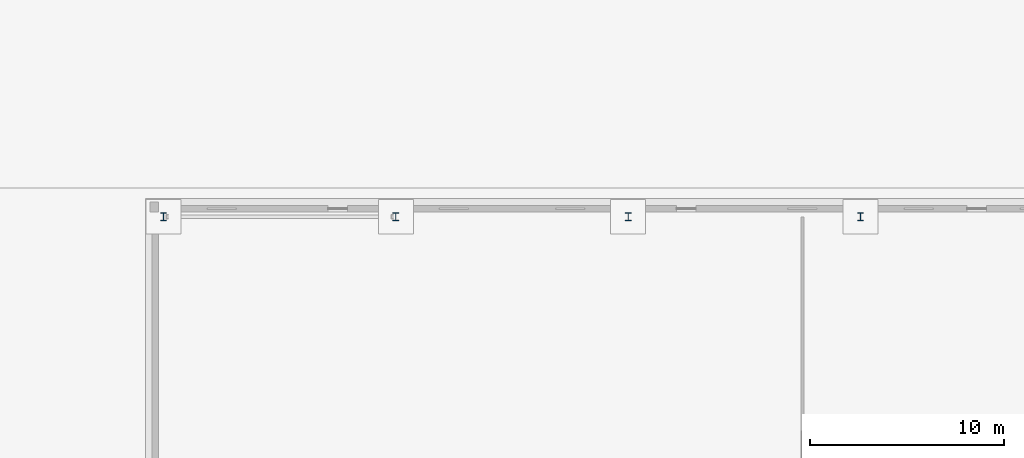
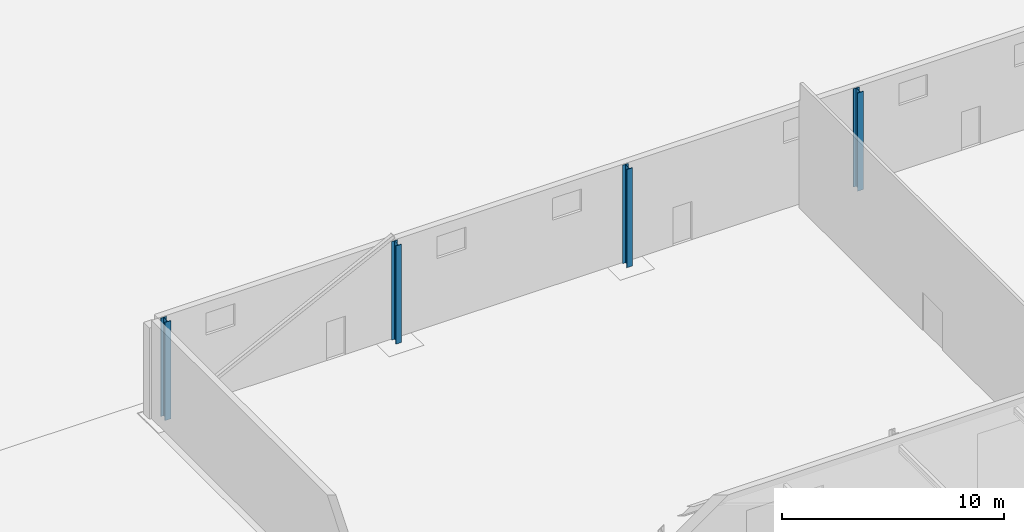
# One storey, part 43 of 132: 4 columns.
"""IFC4 building model written with IfcOpenShell, lengths in metres."""

from ifc_helpers import new_model, si_unit, direction, frame, origin, origin_2d, place, context, subcontext, project, spatial, i_section, extrude, material, material_profile, profile_set, type_object, element, save


model = new_model("IFC4")

# Units and contexts
model_context = context("Model", 3, precision=1e-05, world=origin(), true_north=direction((0.0, 1.0)))
body_context = subcontext(model_context, "Body", "Model", "MODEL_VIEW")
ifc_project = project(units=[si_unit("LENGTHUNIT", "METRE"), si_unit("AREAUNIT", "SQUARE_METRE"), si_unit("VOLUMEUNIT", "CUBIC_METRE"), si_unit("PLANEANGLEUNIT", "RADIAN"), si_unit("MASSUNIT", "GRAM", prefix="KILO")], contexts=[model_context])

# Site, building, storey
site_placement = place(None, origin())
site = spatial("IfcSite", under=ifc_project, at=site_placement, CompositionType="ELEMENT")
building_placement = place(site_placement, origin())
building = spatial("IfcBuilding", under=site, at=building_placement, Name="Ravi Spectrum Wholesale Market", CompositionType="ELEMENT")
storey_placement = place(building_placement, origin())
storey = spatial("IfcBuildingStorey", under=building, at=storey_placement, Name="L00", CompositionType="ELEMENT", Elevation=0.0)

# Columns
ifc_material = material(Name="Steel S355", Category="steel")
ifc_material_profile = material_profile(ifc_material, i_section(OverallWidth=0.300048828125, OverallDepth=0.39990234375, WebThickness=0.013427734375, FlangeThickness=0.02392578125, at=origin_2d()))
ifc_profile_set = profile_set([ifc_material_profile], Name="Steel S355")
column_type = type_object("IfcColumnType", Name="HEB 400 column", PredefinedType="COLUMN", material=ifc_profile_set)
for number, where, z_axis, x_axis, name in (
    (1, (222.0, 186.0, 0.0), (0.0, 0.0, 1.0), (1.0, 0.0, 0.0), "GS-COL-L00-002"),
    (2, (234.0, 186.0, 0.0), (0.0, 0.0, 1.0), (1.0, 0.0, 0.0), "GS-COL-L00-004"),
    (3, (246.0, 186.0, 0.0), (0.0, 0.0, 1.0), (1.0, 0.0, 0.0), "GS-COL-L00-006"),
    (4, (258.0, 186.0, 0.0), (0.0, 0.0, 1.0), (1.0, 0.0, 0.0), "GS-COL-L00-008"),
):
    element("IfcColumn", number, at=place(storey_placement, frame(where, z_axis=z_axis, x_axis=x_axis)), inside=storey, type_object=column_type, Name=name, PredefinedType="COLUMN", context=body_context, shape_type="SweptSolid", body=[
        extrude(i_section(OverallWidth=0.300048828125, OverallDepth=0.39990234375, WebThickness=0.013427734375, FlangeThickness=0.02392578125, at=origin_2d()), origin(), (0.0, 0.0, 1.0), 5.39990234375),
    ])

save(model, "model.ifc")
